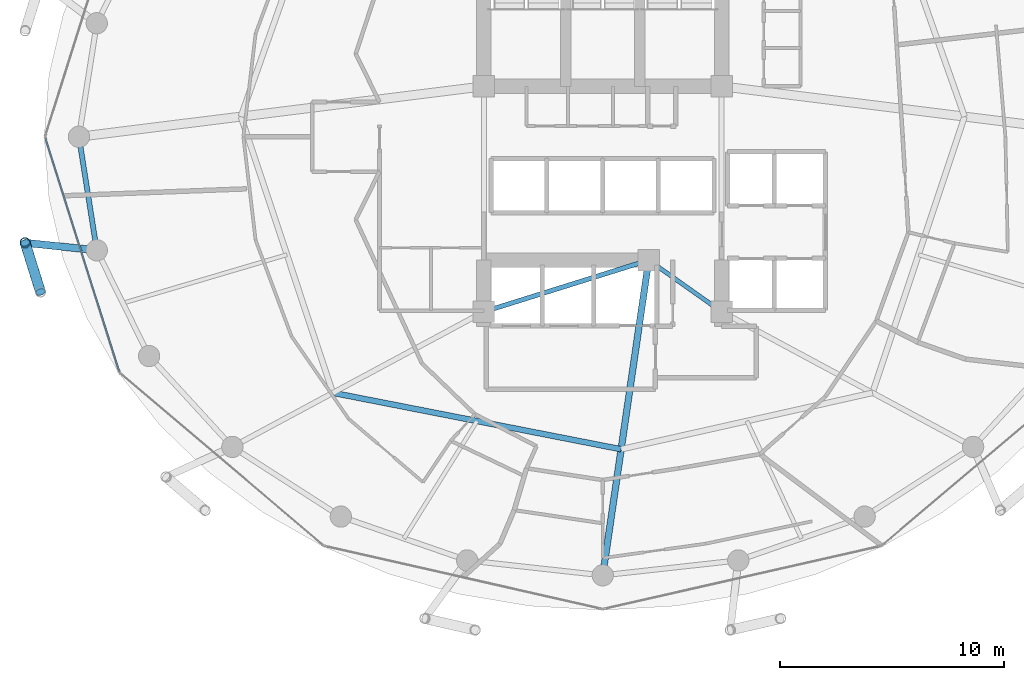
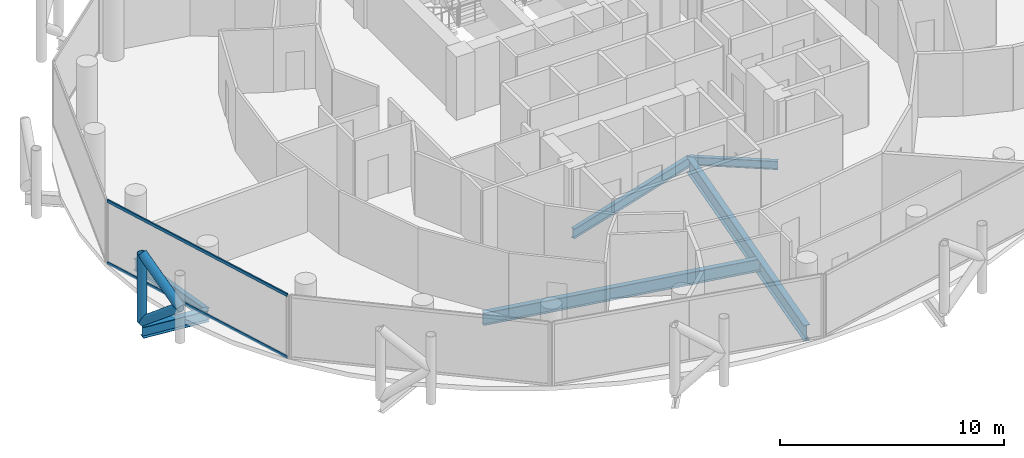
# One storey, part 5 of 26: 6 beams, 5 members, 1 element without a shape of its own.
"""IFC4 building model written with IfcOpenShell, lengths in metres."""

from ifc_helpers import new_model, si_unit, direction, frame, origin, origin_2d, place, context, subcontext, project, spatial, hollow_rectangle, hollow_circle, i_section, extrude, material, layer, layer_set, material_profile, profile_set, type_object, element, aggregate, save


model = new_model("IFC4")

# Units and contexts
model_context = context("Model", 3, precision=1e-05, world=origin(), true_north=direction((0.0, 1.0)))
body_context = subcontext(model_context, "Body", "Model", "MODEL_VIEW")
ifc_project = project(units=[si_unit("LENGTHUNIT", "METRE"), si_unit("AREAUNIT", "SQUARE_METRE"), si_unit("VOLUMEUNIT", "CUBIC_METRE"), si_unit("PLANEANGLEUNIT", "RADIAN"), si_unit("MASSUNIT", "GRAM", prefix="KILO")], contexts=[model_context])

# Site, building, storey
site_placement = place(None, origin())
site = spatial("IfcSite", under=ifc_project, at=site_placement, CompositionType="ELEMENT")
building_placement = place(site_placement, origin())
building = spatial("IfcBuilding", under=site, at=building_placement, Name="Nuhasar Tower", CompositionType="ELEMENT")
storey_placement = place(building_placement, frame((0.0, 0.0, 133.050048828125)))
storey = spatial("IfcBuildingStorey", under=building, at=storey_placement, Name="L31", CompositionType="ELEMENT", Elevation=133.050048828125)

# Beams
ifc_material_1 = material(Name="Steel S355", Category="steel")
ifc_material_profile_1 = material_profile(ifc_material_1, i_section(OverallWidth=0.25390625, OverallDepth=0.68408203125, WebThickness=0.012451171875, FlangeThickness=0.018798828125, at=origin_2d()), Name="W27X94")
ifc_profile_set_1 = profile_set([ifc_material_profile_1], Name="Steel S355")
beam_type_1 = type_object("IfcBeamType", Name="BM-INRING-W27X94", PredefinedType="BEAM", material=ifc_profile_set_1)
beam_1_placement = place(storey_placement, frame((26.972900390625, 15.385986328125, -0.592041015625), z_axis=(0.981359637088, -0.192180286956, 0.0), x_axis=(0.192180286956, 0.981359637088, 0.0)))
element("IfcBeam", 1, at=beam_1_placement, inside=storey, type_object=beam_type_1, Name="L31 Inner Header Beam 01", PredefinedType="BEAM", context=body_context, shape_type="SweptSolid", body=[
    extrude(i_section(OverallWidth=0.25390625, OverallDepth=0.68408203125, WebThickness=0.012451171875, FlangeThickness=0.018798828125, at=origin_2d()), origin(), (0.0, 0.0, 1.0), 13.09130859375),
])
ifc_material_profile_2 = material_profile(ifc_material_1, i_section(OverallWidth=0.2919921875, OverallDepth=0.85888671875, WebThickness=0.01708984375, FlangeThickness=0.031005859375, at=origin_2d()), Name="W33X169")
ifc_profile_set_2 = profile_set([ifc_material_profile_2], Name="Steel S355")
beam_type_2 = type_object("IfcBeamType", Name="BM-POD-W33X169", PredefinedType="BEAM", material=ifc_profile_set_2)
beam_2_placement = place(storey_placement, frame((41.050048828125, 21.300048828125, -0.678955078125), z_axis=(-0.144381604017, -0.989522082837, 0.0), x_axis=(0.989522082837, -0.144381604017, 0.0)))
element("IfcBeam", 2, at=beam_2_placement, inside=storey, type_object=beam_type_2, Name="L31 Radial Floor Girder 02", PredefinedType="BEAM", context=body_context, shape_type="SweptSolid", body=[
    extrude(i_section(OverallWidth=0.2919921875, OverallDepth=0.85888671875, WebThickness=0.01708984375, FlangeThickness=0.031005859375, at=origin_2d()), origin(), (0.0, 0.0, 1.0), 14.19873046875),
])
ifc_material_profile_3 = material_profile(ifc_material_1, i_section(OverallWidth=0.18994140625, OverallDepth=0.45703125, WebThickness=0.009033203125, FlangeThickness=0.014404296875, at=origin_2d()), Name="W18X50")
ifc_profile_set_3 = profile_set([ifc_material_profile_3], Name="Steel S355")
beam_type_3 = type_object("IfcBeamType", Name="BM-RAD-W18X50", PredefinedType="BEAM", material=ifc_profile_set_3)
beam_3_placement = place(storey_placement, frame((41.050048828125, 21.300048828125, -0.47802734375), z_axis=(0.816265428953, -0.577677028708, 0.0), x_axis=(0.577677028708, 0.816265428953, 0.0)))
element("IfcBeam", 3, at=beam_3_placement, inside=storey, type_object=beam_type_3, Name="L31 Core Ring Girder 2", PredefinedType="BEAM", context=body_context, shape_type="SweptSolid", body=[
    extrude(i_section(OverallWidth=0.18994140625, OverallDepth=0.45703125, WebThickness=0.009033203125, FlangeThickness=0.014404296875, at=origin_2d()), origin(), (0.0, 0.0, 1.0), 3.9814453125),
])
ifc_material_profile_4 = material_profile(ifc_material_1, i_section(OverallWidth=0.208984375, OverallDepth=0.532958984375, WebThickness=0.01025390625, FlangeThickness=0.015625, at=origin_2d()), Name="W21X62")
ifc_profile_set_4 = profile_set([ifc_material_profile_4], Name="Steel S355")
beam_type_4 = type_object("IfcBeamType", Name="BM-RAD-W21X62", PredefinedType="BEAM", material=ifc_profile_set_4)
beam_4_placement = place(storey_placement, frame((33.699951171875, 19.0, -0.51611328125), z_axis=(0.954363709454, 0.298646798205, 0.0), x_axis=(-0.298646798205, 0.954363709454, 0.0)))
element("IfcBeam", 4, at=beam_4_placement, inside=storey, type_object=beam_type_4, Name="L31 Core Ring Girder 1", PredefinedType="BEAM", context=body_context, shape_type="SweptSolid", body=[
    extrude(i_section(OverallWidth=0.208984375, OverallDepth=0.532958984375, WebThickness=0.01025390625, FlangeThickness=0.015625, at=origin_2d()), origin(), (0.0, 0.0, 1.0), 7.70166015625),
])
ifc_material_profile_5 = material_profile(ifc_material_1, i_section(OverallWidth=0.22998046875, OverallDepth=0.616943359375, WebThickness=0.01318359375, FlangeThickness=0.022216796875, at=origin_2d()), Name="W24X94")
ifc_profile_set_5 = profile_set([ifc_material_profile_5], Name="Steel S355")
beam_type_5 = type_object("IfcBeamType", Name="BM-RING-W24X94", PredefinedType="SPANDREL", material=ifc_profile_set_5)
beam_5_placement = place(storey_placement, frame((15.64990234375, 26.800048828125, -0.55810546875), z_axis=(0.155426543608, -0.987847452566, 0.0), x_axis=(0.987847452566, 0.155426543608, 0.0)))
element("IfcBeam", 5, at=beam_5_placement, inside=storey, type_object=beam_type_5, Name="L31 Perimeter Ring Spandrel 13", PredefinedType="SPANDREL", context=body_context, shape_type="SweptSolid", body=[
    extrude(i_section(OverallWidth=0.22998046875, OverallDepth=0.616943359375, WebThickness=0.01318359375, FlangeThickness=0.022216796875, at=origin_2d()), origin(), (0.0, 0.0, 1.0), 5.122314453125),
])
ifc_material_profile_6 = material_profile(ifc_material_1, i_section(OverallWidth=0.323974609375, OverallDepth=0.611083984375, WebThickness=0.0126953125, FlangeThickness=0.01904296875, at=origin_2d()), Name="W24X104")
ifc_profile_set_6 = profile_set([ifc_material_profile_6], Name="Steel S355")
beam_type_6 = type_object("IfcBeamType", Name="BM-TIE-W24X104", PredefinedType="BEAM", material=ifc_profile_set_6)
beam_6_placement = place(storey_placement, frame((16.446044921875, 21.739990234375, -0.554931640625), z_axis=(-0.994577694483, 0.103996200111, 0.0), x_axis=(-0.103996200111, -0.994577694483, 0.0)))
element("IfcBeam", 6, at=beam_6_placement, inside=storey, type_object=beam_type_6, Name="L31 Exoskeleton Node Tie Beam 07", PredefinedType="BEAM", context=body_context, shape_type="SweptSolid", body=[
    extrude(i_section(OverallWidth=0.323974609375, OverallDepth=0.611083984375, WebThickness=0.0126953125, FlangeThickness=0.01904296875, at=origin_2d()), origin(), (0.0, 0.0, 1.0), 3.21142578125),
])

# Curtain wall, members
ifc_material_2 = material(Name="Aluminium 6063-T6", Category="aluminium")
ifc_layer = layer(ifc_material_2, 0.199951171875)
ifc_layer_set = layer_set([ifc_layer], Name="Aluminium 6063-T6")
curtain_wall_type = type_object("IfcCurtainWallType", Name="CW-Z2-HTL", PredefinedType="NOTDEFINED", material=ifc_layer_set)
curtain_wall_placement = place(storey_placement, origin())
curtain_wall = element("IfcCurtainWall", 7, at=curtain_wall_placement, inside=storey, type_object=curtain_wall_type, Name="L31 Unitised Curtain Wall 07", PredefinedType="NOTDEFINED")
ifc_material_profile_7 = material_profile(ifc_material_2, hollow_rectangle(XDim=0.070068359375, YDim=0.159912109375, WallThickness=0.00439453125, at=origin_2d()), Name="CWT-3")
ifc_profile_set_7 = profile_set([ifc_material_profile_7], Name="Aluminium 6063-T6")
member_type_1 = type_object("IfcMemberType", Name="CW-TRN-S3", PredefinedType="USERDEFINED", material=ifc_profile_set_7)
member_1_placement = place(storey_placement, frame((14.1611328125, 26.733154296875, 0.034912109375), z_axis=(0.301608163352, -0.953431967053, 0.0), x_axis=(0.953431967053, 0.301608163352, 0.0)))
member_1 = element("IfcMember", 8, at=member_1_placement, type_object=member_type_1, Name="CW-Z2 transom 1.1", ObjectType="TRANSOM", PredefinedType="USERDEFINED", context=body_context, shape_type="SweptSolid", body=[
    extrude(hollow_rectangle(XDim=0.070068359375, YDim=0.159912109375, WallThickness=0.00439453125, at=origin_2d()), origin(), (0.0, 0.0, 1.0), 10.904296875),
])
member_2_placement = place(storey_placement, frame((14.1611328125, 26.733154296875, 3.4150390625), z_axis=(0.301608163352, -0.953431967053, 0.0), x_axis=(0.953431967053, 0.301608163352, 0.0)))
member_2 = element("IfcMember", 9, at=member_2_placement, type_object=member_type_1, Name="CW-Z2 transom 1.2", ObjectType="TRANSOM", PredefinedType="USERDEFINED", context=body_context, shape_type="SweptSolid", body=[
    extrude(hollow_rectangle(XDim=0.070068359375, YDim=0.159912109375, WallThickness=0.00439453125, at=origin_2d()), origin(), (0.0, 0.0, 1.0), 10.904296875),
])
aggregate(curtain_wall, [member_1, member_2])

# Members
ifc_material_3 = material(Name="Steel S460", Category="steel")
ifc_material_profile_8 = material_profile(ifc_material_3, hollow_circle(Radius=0.228515625, WallThickness=0.022216796875, at=origin_2d()), Name="HSS457X22.2")
ifc_profile_set_8 = profile_set([ifc_material_profile_8], Name="Steel S460")
member_type_2 = type_object("IfcMemberType", Name="EXO-BRONZE-457", PredefinedType="BRACE", material=ifc_profile_set_8)
member_3_placement = place(storey_placement, frame((13.251953125, 22.073974609375, 0.0), z_axis=(0.0, 0.0, 1.0), x_axis=(1.0, 0.0, 0.0)))
element("IfcMember", 10, at=member_3_placement, inside=storey, type_object=member_type_2, Name="L31 Exoskeleton Chord Column EC-07A", PredefinedType="BRACE", context=body_context, shape_type="SweptSolid", body=[
    extrude(hollow_circle(Radius=0.228515625, WallThickness=0.022216796875, at=origin_2d()), origin(), (0.0, 0.0, 1.0), 3.699951171875),
])
member_4_placement = place(storey_placement, frame((13.251953125, 22.073974609375, 0.0), z_axis=(0.233067628236, -0.74361641074, 0.626669062861), x_axis=(0.954228474306, 0.29907861646, 0.0)))
element("IfcMember", 11, at=member_4_placement, inside=storey, type_object=member_type_2, Name="L31 Bronze Diagrid Brace W1-07", PredefinedType="BRACE", context=body_context, shape_type="SweptSolid", body=[
    extrude(hollow_circle(Radius=0.228515625, WallThickness=0.022216796875, at=origin_2d()), origin(), (0.0, 0.0, 1.0), 2.951904296875),
])
member_5_placement = place(storey_placement, frame((13.93994140625, 19.87890625, 1.849853515625), z_axis=(-0.233055548538, 0.743577869731, 0.626719285599), x_axis=(-0.954228474306, -0.29907861646, 0.0)))
element("IfcMember", 12, at=member_5_placement, inside=storey, type_object=member_type_2, Name="L31 Bronze Diagrid Brace W2-07", PredefinedType="BRACE", context=body_context, shape_type="SweptSolid", body=[
    extrude(hollow_circle(Radius=0.228515625, WallThickness=0.022216796875, at=origin_2d()), origin(), (0.0, 0.0, 1.0), 2.9521484375),
])

save(model, "model.ifc")
